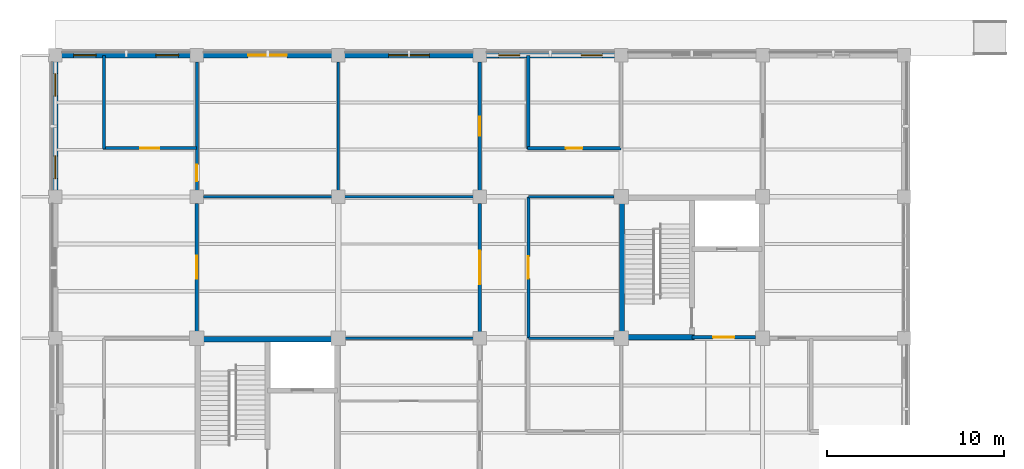
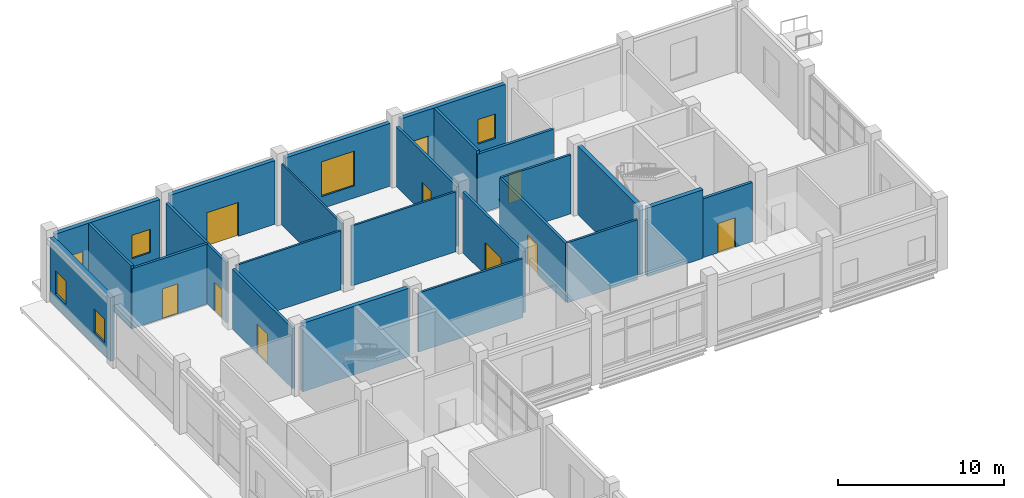
# One storey, part 70 of 105: 24 walls, 9 doors, 7 windows, 16 openings.
"""IFC4 building model written with IfcOpenShell, lengths in metres."""

from ifc_helpers import new_model, si_unit, derived_unit, direction, frame, frame_2d, origin, place, context, subcontext, project, spatial, rectangle, extrude, material, layer, layer_set, type_object, element, fill, save


model = new_model("IFC4")

# Units and contexts
model_context = context("Model", 3, precision=1e-05, world=origin(), true_north=direction((0.0, 1.0)))
body_context = subcontext(model_context, "Body", "Model", "MODEL_VIEW")
ifc_project = project(units=[si_unit("LENGTHUNIT", "METRE"), si_unit("AREAUNIT", "SQUARE_METRE"), si_unit("VOLUMEUNIT", "CUBIC_METRE"), si_unit("PLANEANGLEUNIT", "RADIAN"), si_unit("MASSUNIT", "GRAM", prefix="KILO"), derived_unit("THERMALTRANSMITTANCEUNIT", [(si_unit("MASSUNIT", "GRAM", prefix="KILO"), 1), (si_unit("TIMEUNIT", "SECOND"), -3), (si_unit("THERMODYNAMICTEMPERATUREUNIT", "KELVIN"), -1)])], contexts=[model_context])

# Site, building, storey
site_placement = place(None, origin())
site = spatial("IfcSite", under=ifc_project, at=site_placement, CompositionType="ELEMENT")
building_placement = place(site_placement, origin())
building = spatial("IfcBuilding", under=site, at=building_placement, Name="Veyamyaing Civic Hall", CompositionType="ELEMENT")
storey_placement = place(building_placement, origin())
storey = spatial("IfcBuildingStorey", under=building, at=storey_placement, Name="L00", CompositionType="ELEMENT", Elevation=0.0)

# Wall, openings, windows
ifc_material_1 = material(Name="Precast concrete C40/50", Category="concrete")
ifc_layer_1 = layer(ifc_material_1, 0.280029296875, Name="Precast concrete C40/50")
ifc_layer_set_1 = layer_set([ifc_layer_1], Name="Precast concrete C40/50")
wall_type_1 = type_object("IfcWallType", Name="WT-04", PredefinedType="SOLIDWALL", material=ifc_layer_set_1)
wall_1_placement = place(storey_placement, frame((0.360107421875, 112.0, 0.0), z_axis=(0.0, 0.0, 1.0), x_axis=(1.0, 0.0, 0.0)))
wall_1 = element("IfcWall", 1, at=wall_1_placement, inside=storey, type_object=wall_type_1, Name="Exterior facade wall WT-04 L00 N 1.14", PredefinedType="SOLIDWALL", context=body_context, shape_type="SweptSolid", body=[
    extrude(rectangle(XDim=7.27978515625, YDim=0.280029296875, at=frame_2d((3.639892578125, 0.0))), origin(), (0.0, 0.0, 1.0), 4.614013671875),
])
opening_1_placement = place(wall_1_placement, frame((0.67041015625, 0.0, 0.949951171875)))
opening_1 = element("IfcOpeningElement", 2, at=opening_1_placement, cuts=wall_1, Name="Opening W-31", PredefinedType="OPENING", context=body_context, shape_type="SweptSolid", body=[
    extrude(rectangle(XDim=1.280029296875, YDim=1.719970703125, at=frame_2d((0.64013671875, 0.85986328125))), frame((0.0, 0.14990234375, 0.0), z_axis=(0.0, -1.0, 0.0), x_axis=(1.0, 0.0, 0.0)), (0.0, 0.0, 1.0), 0.300048828125),
])
opening_2_placement = place(wall_1_placement, frame((5.32958984375, 0.0, 0.949951171875)))
opening_2 = element("IfcOpeningElement", 3, at=opening_2_placement, cuts=wall_1, Name="Opening W-31", PredefinedType="OPENING", context=body_context, shape_type="SweptSolid", body=[
    extrude(rectangle(XDim=1.280029296875, YDim=1.719970703125, at=frame_2d((0.64013671875, 0.85986328125))), frame((0.0, 0.14990234375, 0.0), z_axis=(0.0, -1.0, 0.0), x_axis=(1.0, 0.0, 0.0)), (0.0, 0.0, 1.0), 0.300048828125),
])
ifc_material_2 = material(Name="Low-E insulated glass", Category="glass")
window_type_1 = type_object("IfcWindowType", Name="W-31", PartitioningType="SINGLE_PANEL", PredefinedType="WINDOW", material=ifc_material_2)
window_1_placement = place(opening_1_placement, origin())
window_1 = element("IfcWindow", 4, at=window_1_placement, inside=storey, type_object=window_type_1, Name="Facade window W-31 L00 N 1.14.1", OverallHeight=1.719970703125, OverallWidth=1.280029296875, PartitioningType="SINGLE_PANEL", PredefinedType="WINDOW", context=body_context, shape_type="SweptSolid", body=[
    extrude(rectangle(XDim=1.280029296875, YDim=1.719970703125, at=frame_2d((0.64013671875, 0.85986328125))), frame((0.0, 0.030029296875, 0.0), z_axis=(0.0, -1.0, 0.0), x_axis=(1.0, 0.0, 0.0)), (0.0, 0.0, 1.0), 0.06005859375),
])
fill(opening_1, window_1)
window_2_placement = place(opening_2_placement, origin())
window_2 = element("IfcWindow", 5, at=window_2_placement, inside=storey, type_object=window_type_1, Name="Facade window W-31 L00 N 1.14.2", OverallHeight=1.719970703125, OverallWidth=1.280029296875, PartitioningType="SINGLE_PANEL", PredefinedType="WINDOW", context=body_context, shape_type="SweptSolid", body=[
    extrude(rectangle(XDim=1.280029296875, YDim=1.719970703125, at=frame_2d((0.64013671875, 0.85986328125))), frame((0.0, 0.030029296875, 0.0), z_axis=(0.0, -1.0, 0.0), x_axis=(1.0, 0.0, 0.0)), (0.0, 0.0, 1.0), 0.06005859375),
])
fill(opening_2, window_2)

wall_2_placement = place(storey_placement, frame((0.0, 104.360107421875, 0.0), z_axis=(0.0, 0.0, 1.0), x_axis=(0.0, 1.0, 0.0)))
wall_2 = element("IfcWall", 6, at=wall_2_placement, inside=storey, type_object=wall_type_1, Name="Exterior facade wall WT-04 L00 W 1.14", PredefinedType="SOLIDWALL", context=body_context, shape_type="SweptSolid", body=[
    extrude(rectangle(XDim=7.27978515625, YDim=0.280029296875, at=frame_2d((3.639892578125, 0.0))), origin(), (0.0, 0.0, 1.0), 4.674072265625),
])
opening_3_placement = place(wall_2_placement, frame((0.67041015625, 0.0, 0.949951171875)))
opening_3 = element("IfcOpeningElement", 7, at=opening_3_placement, cuts=wall_2, Name="Opening W-31", PredefinedType="OPENING", context=body_context, shape_type="SweptSolid", body=[
    extrude(rectangle(XDim=1.280029296875, YDim=1.719970703125, at=frame_2d((0.64013671875, 0.85986328125))), frame((0.0, 0.14990234375, 0.0), z_axis=(0.0, -1.0, 0.0), x_axis=(1.0, 0.0, 0.0)), (0.0, 0.0, 1.0), 0.300048828125),
])
opening_4_placement = place(wall_2_placement, frame((5.32958984375, 0.0, 0.949951171875)))
opening_4 = element("IfcOpeningElement", 8, at=opening_4_placement, cuts=wall_2, Name="Opening W-31", PredefinedType="OPENING", context=body_context, shape_type="SweptSolid", body=[
    extrude(rectangle(XDim=1.280029296875, YDim=1.719970703125, at=frame_2d((0.64013671875, 0.85986328125))), frame((0.0, 0.14990234375, 0.0), z_axis=(0.0, -1.0, 0.0), x_axis=(1.0, 0.0, 0.0)), (0.0, 0.0, 1.0), 0.300048828125),
])
window_3_placement = place(opening_3_placement, origin())
window_3 = element("IfcWindow", 9, at=window_3_placement, inside=storey, type_object=window_type_1, Name="Facade window W-31 L00 W 1.14.1", OverallHeight=1.719970703125, OverallWidth=1.280029296875, PartitioningType="SINGLE_PANEL", PredefinedType="WINDOW", context=body_context, shape_type="SweptSolid", body=[
    extrude(rectangle(XDim=1.280029296875, YDim=1.719970703125, at=frame_2d((0.64013671875, 0.85986328125))), frame((0.0, 0.030029296875, 0.0), z_axis=(0.0, -1.0, 0.0), x_axis=(1.0, 0.0, 0.0)), (0.0, 0.0, 1.0), 0.06005859375),
])
fill(opening_3, window_3)
window_4_placement = place(opening_4_placement, origin())
window_4 = element("IfcWindow", 10, at=window_4_placement, inside=storey, type_object=window_type_1, Name="Facade window W-31 L00 W 1.14.2", OverallHeight=1.719970703125, OverallWidth=1.280029296875, PartitioningType="SINGLE_PANEL", PredefinedType="WINDOW", context=body_context, shape_type="SweptSolid", body=[
    extrude(rectangle(XDim=1.280029296875, YDim=1.719970703125, at=frame_2d((0.64013671875, 0.85986328125))), frame((0.0, 0.030029296875, 0.0), z_axis=(0.0, -1.0, 0.0), x_axis=(1.0, 0.0, 0.0)), (0.0, 0.0, 1.0), 0.06005859375),
])
fill(opening_4, window_4)

# Wall, opening, door
wall_3_placement = place(storey_placement, frame((8.360107421875, 112.0, 0.0), z_axis=(0.0, 0.0, 1.0), x_axis=(1.0, 0.0, 0.0)))
wall_3 = element("IfcWall", 11, at=wall_3_placement, inside=storey, type_object=wall_type_1, Name="Exterior facade wall WT-04 L00 N 2.14", PredefinedType="SOLIDWALL", context=body_context, shape_type="SweptSolid", body=[
    extrude(rectangle(XDim=7.27978515625, YDim=0.280029296875, at=frame_2d((3.639892578125, 0.0))), origin(), (0.0, 0.0, 1.0), 4.677001953125),
])
opening_5_placement = place(wall_3_placement, frame((2.5400390625, 0.0, 0.0)))
opening_5 = element("IfcOpeningElement", 12, at=opening_5_placement, cuts=wall_3, Name="Opening D-01", PredefinedType="OPENING", context=body_context, shape_type="SweptSolid", body=[
    extrude(rectangle(XDim=2.199951171875, YDim=2.5, at=frame_2d((1.10009765625, 1.25))), frame((0.0, 0.14990234375, 0.0), z_axis=(0.0, -1.0, 0.0), x_axis=(1.0, 0.0, 0.0)), (0.0, 0.0, 1.0), 0.300048828125),
])
ifc_material_3 = material(Name="Anodised aluminium 6063-T6", Category="aluminium")
door_type_1 = type_object("IfcDoorType", Name="D-01", OperationType="DOUBLE_DOOR_SINGLE_SWING", PredefinedType="DOOR", material=ifc_material_3)
door_1_placement = place(opening_5_placement, origin())
door_1 = element("IfcDoor", 13, at=door_1_placement, inside=storey, type_object=door_type_1, Name="Main pedestrian final exit EX-06", OperationType="DOUBLE_DOOR_SINGLE_SWING", OverallHeight=2.5, OverallWidth=2.199951171875, PredefinedType="DOOR", context=body_context, shape_type="SweptSolid", body=[
    extrude(rectangle(XDim=2.199951171875, YDim=2.5, at=frame_2d((1.10009765625, 1.25))), frame((0.0, 0.02490234375, 0.0), z_axis=(0.0, -1.0, 0.0), x_axis=(1.0, 0.0, 0.0)), (0.0, 0.0, 1.0), 0.050048828125),
])
fill(opening_5, door_1)

# Wall, opening, window
wall_4_placement = place(storey_placement, frame((16.360107421875, 112.0, 0.0), z_axis=(0.0, 0.0, 1.0), x_axis=(1.0, 0.0, 0.0)))
wall_4 = element("IfcWall", 14, at=wall_4_placement, inside=storey, type_object=wall_type_1, Name="Exterior facade wall WT-04 L00 N 3.14", PredefinedType="SOLIDWALL", context=body_context, shape_type="SweptSolid", body=[
    extrude(rectangle(XDim=7.27978515625, YDim=0.280029296875, at=frame_2d((3.639892578125, 0.0))), origin(), (0.0, 0.0, 1.0), 4.610107421875),
])
opening_6_placement = place(wall_4_placement, frame((2.489990234375, 0.0, 0.89990234375)))
opening_6 = element("IfcOpeningElement", 15, at=opening_6_placement, cuts=wall_4, Name="Opening W-25", PredefinedType="OPENING", context=body_context, shape_type="SweptSolid", body=[
    extrude(rectangle(XDim=2.300048828125, YDim=2.550048828125, at=frame_2d((1.14990234375, 1.27490234375))), frame((0.0, 0.14990234375, 0.0), z_axis=(0.0, -1.0, 0.0), x_axis=(1.0, 0.0, 0.0)), (0.0, 0.0, 1.0), 0.300048828125),
])
window_type_2 = type_object("IfcWindowType", Name="W-25", PartitioningType="SINGLE_PANEL", PredefinedType="WINDOW", material=ifc_material_2)
window_5_placement = place(opening_6_placement, origin())
window_5 = element("IfcWindow", 16, at=window_5_placement, inside=storey, type_object=window_type_2, Name="Facade window W-25 L00 N 3.14", OverallHeight=2.550048828125, OverallWidth=2.300048828125, PartitioningType="SINGLE_PANEL", PredefinedType="WINDOW", context=body_context, shape_type="SweptSolid", body=[
    extrude(rectangle(XDim=2.300048828125, YDim=2.550048828125, at=frame_2d((1.14990234375, 1.27490234375))), frame((0.0, 0.030029296875, 0.0), z_axis=(0.0, -1.0, 0.0), x_axis=(1.0, 0.0, 0.0)), (0.0, 0.0, 1.0), 0.06005859375),
])
fill(opening_6, window_5)

# Wall, openings, windows
wall_5_placement = place(storey_placement, frame((24.360107421875, 112.0, 0.0), z_axis=(0.0, 0.0, 1.0), x_axis=(1.0, 0.0, 0.0)))
wall_5 = element("IfcWall", 17, at=wall_5_placement, inside=storey, type_object=wall_type_1, Name="Exterior facade wall WT-04 L00 N 4.14", PredefinedType="SOLIDWALL", context=body_context, shape_type="SweptSolid", body=[
    extrude(rectangle(XDim=7.27978515625, YDim=0.280029296875, at=frame_2d((3.639892578125, 0.0))), origin(), (0.0, 0.0, 1.0), 4.674072265625),
])
opening_7_placement = place(wall_5_placement, frame((0.71044921875, 0.0, 0.949951171875)))
opening_7 = element("IfcOpeningElement", 18, at=opening_7_placement, cuts=wall_5, Name="Opening W-14", PredefinedType="OPENING", context=body_context, shape_type="SweptSolid", body=[
    extrude(rectangle(XDim=1.199951171875, YDim=1.800048828125, at=frame_2d((0.60009765625, 0.89990234375))), frame((0.0, 0.14990234375, 0.0), z_axis=(0.0, -1.0, 0.0), x_axis=(1.0, 0.0, 0.0)), (0.0, 0.0, 1.0), 0.300048828125),
])
opening_8_placement = place(wall_5_placement, frame((5.36962890625, 0.0, 0.949951171875)))
opening_8 = element("IfcOpeningElement", 19, at=opening_8_placement, cuts=wall_5, Name="Opening W-14", PredefinedType="OPENING", context=body_context, shape_type="SweptSolid", body=[
    extrude(rectangle(XDim=1.199951171875, YDim=1.800048828125, at=frame_2d((0.60009765625, 0.89990234375))), frame((0.0, 0.14990234375, 0.0), z_axis=(0.0, -1.0, 0.0), x_axis=(1.0, 0.0, 0.0)), (0.0, 0.0, 1.0), 0.300048828125),
])
window_type_3 = type_object("IfcWindowType", Name="W-14", PartitioningType="SINGLE_PANEL", PredefinedType="WINDOW", material=ifc_material_2)
window_6_placement = place(opening_7_placement, origin())
window_6 = element("IfcWindow", 20, at=window_6_placement, inside=storey, type_object=window_type_3, Name="Facade window W-14 L00 N 4.14.1", OverallHeight=1.800048828125, OverallWidth=1.199951171875, PartitioningType="SINGLE_PANEL", PredefinedType="WINDOW", context=body_context, shape_type="SweptSolid", body=[
    extrude(rectangle(XDim=1.199951171875, YDim=1.800048828125, at=frame_2d((0.60009765625, 0.89990234375))), frame((0.0, 0.030029296875, 0.0), z_axis=(0.0, -1.0, 0.0), x_axis=(1.0, 0.0, 0.0)), (0.0, 0.0, 1.0), 0.06005859375),
])
fill(opening_7, window_6)
window_7_placement = place(opening_8_placement, origin())
window_7 = element("IfcWindow", 21, at=window_7_placement, inside=storey, type_object=window_type_3, Name="Facade window W-14 L00 N 4.14.2", OverallHeight=1.800048828125, OverallWidth=1.199951171875, PartitioningType="SINGLE_PANEL", PredefinedType="WINDOW", context=body_context, shape_type="SweptSolid", body=[
    extrude(rectangle(XDim=1.199951171875, YDim=1.800048828125, at=frame_2d((0.60009765625, 0.89990234375))), frame((0.0, 0.030029296875, 0.0), z_axis=(0.0, -1.0, 0.0), x_axis=(1.0, 0.0, 0.0)), (0.0, 0.0, 1.0), 0.06005859375),
])
fill(opening_8, window_7)

# Walls
ifc_material_4 = material(Name="Concrete C40/50", Category="concrete")
ifc_layer_2 = layer(ifc_material_4, 0.300048828125, Name="Concrete C40/50")
ifc_layer_set_2 = layer_set([ifc_layer_2], Name="Concrete C40/50")
wall_type_2 = type_object("IfcWallType", Name="WT-05", PredefinedType="SHEAR", material=ifc_layer_set_2)
for number, where, z_axis, x_axis, name in (
    (22, (8.2900390625, 95.949951171875, 0.0), (0.0, 0.0, 1.0), (1.0, 0.0, 0.0), "Core shear wall WT-05 CORE-1 L00.N"),
    (23, (32.050048828125, 96.2900390625, 0.0), (0.0, 0.0, 1.0), (0.0, 1.0, 0.0), "Core shear wall WT-05 CORE-2 L00.W"),
):
    element("IfcWall", number, at=place(storey_placement, frame(where, z_axis=z_axis, x_axis=x_axis)), inside=storey, type_object=wall_type_2, Name=name, PredefinedType="SHEAR", context=body_context, shape_type="SweptSolid", body=[
        extrude(rectangle(XDim=7.419921875, YDim=0.300048828125, at=frame_2d((3.7099609375, 0.0))), origin(), (0.0, 0.0, 1.0), 5.034912109375),
    ])
wall_6_placement = place(storey_placement, frame((32.2900390625, 96.050048828125, 0.0), z_axis=(0.0, 0.0, 1.0), x_axis=(1.0, 0.0, 0.0)))
element("IfcWall", 24, at=wall_6_placement, inside=storey, type_object=wall_type_2, Name="Core shear wall WT-05 CORE-2 L00.SS", PredefinedType="SHEAR", context=body_context, shape_type="SweptSolid", body=[
    extrude(rectangle(XDim=3.85986328125, YDim=0.300048828125, at=frame_2d((1.929931640625, 0.0))), origin(), (0.0, 0.0, 1.0), 5.034912109375),
])

# Wall, opening, door
ifc_layer_3 = layer(ifc_material_4, 0.199951171875, Name="Concrete C40/50")
ifc_layer_set_3 = layer_set([ifc_layer_3], Name="Concrete C40/50")
wall_type_3 = type_object("IfcWallType", Name="WT-06", PredefinedType="PARTITIONING", material=ifc_layer_set_3)
wall_7_placement = place(storey_placement, frame((36.0, 96.050048828125, 0.0), z_axis=(0.0, 0.0, 1.0), x_axis=(1.0, 0.0, 0.0)))
wall_7 = element("IfcWall", 25, at=wall_7_placement, inside=storey, type_object=wall_type_3, Name="Firefighting lift lobby wall WT-06 CORE-2 L00", PredefinedType="PARTITIONING", context=body_context, shape_type="SweptSolid", body=[
    extrude(rectangle(XDim=3.610107421875, YDim=0.199951171875, at=frame_2d((1.80517578125, 0.0))), origin(), (0.0, 0.0, 1.0), 4.326904296875),
])
opening_9_placement = place(wall_7_placement, frame((1.205078125, 0.0, 0.0)))
opening_9 = element("IfcOpeningElement", 26, at=opening_9_placement, cuts=wall_7, Name="Opening D-04", PredefinedType="OPENING", context=body_context, shape_type="SweptSolid", body=[
    extrude(rectangle(XDim=1.199951171875, YDim=2.14990234375, at=frame_2d((0.60009765625, 1.074951171875))), frame((0.0, 0.10986328125, 0.0), z_axis=(0.0, -1.0, 0.0), x_axis=(1.0, 0.0, 0.0)), (0.0, 0.0, 1.0), 0.219970703125),
])
ifc_material_5 = material(Name="Galvanized steel S355J2", Category="steel")
door_type_2 = type_object("IfcDoorType", Name="D-04", OperationType="NOTDEFINED", PredefinedType="DOOR", material=ifc_material_5)
door_2_placement = place(opening_9_placement, frame((1.199951171875, 0.0, 0.0), z_axis=(0.0, 0.0, 1.0), x_axis=(-1.0, 0.0, 0.0)))
door_2 = element("IfcDoor", 27, at=door_2_placement, inside=storey, type_object=door_type_2, Name="Protected lobby fire door D-04 CORE-2 L00", OperationType="SINGLE_SWING_LEFT", OverallHeight=2.14990234375, OverallWidth=1.199951171875, PredefinedType="DOOR", context=body_context, shape_type="SweptSolid", body=[
    extrude(rectangle(XDim=1.199951171875, YDim=2.14990234375, at=frame_2d((0.60009765625, 1.074951171875))), frame((0.0, 0.02490234375, 0.0), z_axis=(0.0, -1.0, 0.0), x_axis=(1.0, 0.0, 0.0)), (0.0, 0.0, 1.0), 0.050048828125),
])
fill(opening_9, door_2)

ifc_material_6 = material(Name="Gypsum board on acoustic steel stud", Category="steel")
ifc_layer_4 = layer(ifc_material_6, 0.175048828125, Name="Gypsum board on acoustic steel stud")
ifc_layer_set_4 = layer_set([ifc_layer_4], Name="Gypsum board on acoustic steel stud")
wall_type_4 = type_object("IfcWallType", Name="WT-07", PredefinedType="PARTITIONING", material=ifc_layer_set_4)
wall_8_placement = place(storey_placement, frame((2.699951171875, 106.75, 0.0), z_axis=(0.0, 0.0, 1.0), x_axis=(1.0, 0.0, 0.0)))
wall_8 = element("IfcWall", 28, at=wall_8_placement, inside=storey, type_object=wall_type_4, Name="Corridor gallery partition WT-07 L00.3.1", PredefinedType="PARTITIONING", context=body_context, shape_type="SweptSolid", body=[
    extrude(rectangle(XDim=5.280029296875, YDim=0.175048828125, at=frame_2d((2.64013671875, 0.0))), origin(), (0.0, 0.0, 1.0), 4.404052734375),
])
opening_10_placement = place(wall_8_placement, frame((2.10009765625, 0.0, 0.0)))
opening_10 = element("IfcOpeningElement", 29, at=opening_10_placement, cuts=wall_8, Name="Opening D-23", PredefinedType="OPENING", context=body_context, shape_type="SweptSolid", body=[
    extrude(rectangle(XDim=1.080078125, YDim=2.199951171875, at=frame_2d((0.5400390625, 1.10009765625))), frame((0.0, 0.097412109375, 0.0), z_axis=(0.0, -1.0, 0.0), x_axis=(1.0, 0.0, 0.0)), (0.0, 0.0, 1.0), 0.195068359375),
])
ifc_material_7 = material(Name="Teak-veneered acoustic timber", Category="wood")
door_type_3 = type_object("IfcDoorType", Name="D-23", OperationType="NOTDEFINED", PredefinedType="DOOR", material=ifc_material_7)
door_3_placement = place(opening_10_placement, origin())
door_3 = element("IfcDoor", 30, at=door_3_placement, inside=storey, type_object=door_type_3, Name="Gallery office door D-23 L00.3", OperationType="SINGLE_SWING_RIGHT", OverallHeight=2.199951171875, OverallWidth=1.080078125, PredefinedType="DOOR", context=body_context, shape_type="SweptSolid", body=[
    extrude(rectangle(XDim=1.080078125, YDim=2.199951171875, at=frame_2d((0.5400390625, 1.10009765625))), frame((0.0, 0.02490234375, 0.0), z_axis=(0.0, -1.0, 0.0), x_axis=(1.0, 0.0, 0.0)), (0.0, 0.0, 1.0), 0.050048828125),
])
fill(opening_10, door_3)

# Wall
wall_9_placement = place(storey_placement, frame((2.75, 106.699951171875, 0.0), z_axis=(0.0, 0.0, 1.0), x_axis=(0.0, 1.0, 0.0)))
element("IfcWall", 31, at=wall_9_placement, inside=storey, type_object=wall_type_4, Name="Corridor gallery partition WT-07 L00.3.2", PredefinedType="PARTITIONING", context=body_context, shape_type="SweptSolid", body=[
    extrude(rectangle(XDim=5.280029296875, YDim=0.175048828125, at=frame_2d((2.64013671875, 0.0))), origin(), (0.0, 0.0, 1.0), 4.60693359375),
])

# Wall, opening, door
wall_10_placement = place(storey_placement, frame((26.75, 96.02001953125, 0.0), z_axis=(0.0, 0.0, 1.0), x_axis=(0.0, 1.0, 0.0)))
wall_10 = element("IfcWall", 32, at=wall_10_placement, inside=storey, type_object=wall_type_4, Name="Corridor gallery partition WT-07 L00.17.1", PredefinedType="PARTITIONING", context=body_context, shape_type="SweptSolid", body=[
    extrude(rectangle(XDim=7.9599609375, YDim=0.175048828125, at=frame_2d((3.97998046875, 0.0))), origin(), (0.0, 0.0, 1.0), 4.326904296875),
])
opening_11_placement = place(wall_10_placement, frame((3.35498046875, 0.0, 0.0)))
opening_11 = element("IfcOpeningElement", 33, at=opening_11_placement, cuts=wall_10, Name="Opening D-29", PredefinedType="OPENING", context=body_context, shape_type="SweptSolid", body=[
    extrude(rectangle(XDim=1.25, YDim=2.179931640625, at=frame_2d((0.625, 1.08984375))), frame((0.0, 0.097412109375, 0.0), z_axis=(0.0, -1.0, 0.0), x_axis=(1.0, 0.0, 0.0)), (0.0, 0.0, 1.0), 0.195068359375),
])
door_type_4 = type_object("IfcDoorType", Name="D-29", OperationType="NOTDEFINED", PredefinedType="DOOR", material=ifc_material_7)
door_4_placement = place(opening_11_placement, frame((1.25, 0.0, 0.0), z_axis=(0.0, 0.0, 1.0), x_axis=(-1.0, 0.0, 0.0)))
door_4 = element("IfcDoor", 34, at=door_4_placement, inside=storey, type_object=door_type_4, Name="Gallery office door D-29 L00.17", OperationType="SINGLE_SWING_RIGHT", OverallHeight=2.179931640625, OverallWidth=1.25, PredefinedType="DOOR", context=body_context, shape_type="SweptSolid", body=[
    extrude(rectangle(XDim=1.25, YDim=2.179931640625, at=frame_2d((0.625, 1.08984375))), frame((0.0, 0.02490234375, 0.0), z_axis=(0.0, -1.0, 0.0), x_axis=(1.0, 0.0, 0.0)), (0.0, 0.0, 1.0), 0.050048828125),
])
fill(opening_11, door_4)

wall_11_placement = place(storey_placement, frame((8.0, 104.364990234375, 0.0), z_axis=(0.0, 0.0, 1.0), x_axis=(0.0, 1.0, 0.0)))
wall_11 = element("IfcWall", 35, at=wall_11_placement, inside=storey, type_object=wall_type_4, Name="Interior partition wall WT-07 L00.17", PredefinedType="PARTITIONING", context=body_context, shape_type="SweptSolid", body=[
    extrude(rectangle(XDim=7.27001953125, YDim=0.175048828125, at=frame_2d((3.635009765625, 0.0))), origin(), (0.0, 0.0, 1.0), 4.404052734375),
])
opening_12_placement = place(wall_11_placement, frame((0.52001953125, 0.0, 0.0)))
opening_12 = element("IfcOpeningElement", 36, at=opening_12_placement, cuts=wall_11, Name="Opening D-30", PredefinedType="OPENING", context=body_context, shape_type="SweptSolid", body=[
    extrude(rectangle(XDim=0.93994140625, YDim=2.1201171875, at=frame_2d((0.469970703125, 1.06005859375))), frame((0.0, 0.097412109375, 0.0), z_axis=(0.0, -1.0, 0.0), x_axis=(1.0, 0.0, 0.0)), (0.0, 0.0, 1.0), 0.195068359375),
])
door_type_5 = type_object("IfcDoorType", Name="D-30", OperationType="NOTDEFINED", PredefinedType="DOOR", material=ifc_material_7)
door_5_placement = place(opening_12_placement, frame((0.93994140625, 0.0, 0.0), z_axis=(0.0, 0.0, 1.0), x_axis=(-1.0, 0.0, 0.0)))
door_5 = element("IfcDoor", 37, at=door_5_placement, inside=storey, type_object=door_type_5, Name="Interior door D-30 L00.17", OperationType="SINGLE_SWING_RIGHT", OverallHeight=2.1201171875, OverallWidth=0.93994140625, PredefinedType="DOOR", context=body_context, shape_type="SweptSolid", body=[
    extrude(rectangle(XDim=0.93994140625, YDim=2.1201171875, at=frame_2d((0.469970703125, 1.06005859375))), frame((0.0, 0.02490234375, 0.0), z_axis=(0.0, -1.0, 0.0), x_axis=(1.0, 0.0, 0.0)), (0.0, 0.0, 1.0), 0.050048828125),
])
fill(opening_12, door_5)

wall_12_placement = place(storey_placement, frame((24.0, 96.364990234375, 0.0), z_axis=(0.0, 0.0, 1.0), x_axis=(0.0, 1.0, 0.0)))
wall_12 = element("IfcWall", 38, at=wall_12_placement, inside=storey, type_object=wall_type_4, Name="Interior partition wall WT-07 L00.31", PredefinedType="PARTITIONING", context=body_context, shape_type="SweptSolid", body=[
    extrude(rectangle(XDim=7.27001953125, YDim=0.175048828125, at=frame_2d((3.635009765625, 0.0))), origin(), (0.0, 0.0, 1.0), 4.470947265625),
])
opening_13_placement = place(wall_12_placement, frame((2.68505859375, 0.0, 0.0)))
opening_13 = element("IfcOpeningElement", 39, at=opening_13_placement, cuts=wall_12, Name="Opening D-31", PredefinedType="OPENING", context=body_context, shape_type="SweptSolid", body=[
    extrude(rectangle(XDim=1.89990234375, YDim=2.3798828125, at=frame_2d((0.949951171875, 1.18994140625))), frame((0.0, 0.097412109375, 0.0), z_axis=(0.0, -1.0, 0.0), x_axis=(1.0, 0.0, 0.0)), (0.0, 0.0, 1.0), 0.195068359375),
])
door_type_6 = type_object("IfcDoorType", Name="D-31", OperationType="DOUBLE_DOOR_SINGLE_SWING", PredefinedType="DOOR", material=ifc_material_7)
door_6_placement = place(opening_13_placement, origin())
door_6 = element("IfcDoor", 40, at=door_6_placement, inside=storey, type_object=door_type_6, Name="Interior door D-31 L00.31", OperationType="DOUBLE_DOOR_SINGLE_SWING", OverallHeight=2.3798828125, OverallWidth=1.89990234375, PredefinedType="DOOR", context=body_context, shape_type="SweptSolid", body=[
    extrude(rectangle(XDim=1.89990234375, YDim=2.3798828125, at=frame_2d((0.949951171875, 1.18994140625))), frame((0.0, 0.02490234375, 0.0), z_axis=(0.0, -1.0, 0.0), x_axis=(1.0, 0.0, 0.0)), (0.0, 0.0, 1.0), 0.050048828125),
])
fill(opening_13, door_6)

wall_13_placement = place(storey_placement, frame((24.0, 104.364990234375, 0.0), z_axis=(0.0, 0.0, 1.0), x_axis=(0.0, 1.0, 0.0)))
wall_13 = element("IfcWall", 41, at=wall_13_placement, inside=storey, type_object=wall_type_4, Name="Interior partition wall WT-07 L00.33", PredefinedType="PARTITIONING", context=body_context, shape_type="SweptSolid", body=[
    extrude(rectangle(XDim=7.27001953125, YDim=0.175048828125, at=frame_2d((3.635009765625, 0.0))), origin(), (0.0, 0.0, 1.0), 4.403076171875),
])
opening_14_placement = place(wall_13_placement, frame((3.094970703125, 0.0, 0.0)))
opening_14 = element("IfcOpeningElement", 42, at=opening_14_placement, cuts=wall_13, Name="Opening D-23", PredefinedType="OPENING", context=body_context, shape_type="SweptSolid", body=[
    extrude(rectangle(XDim=1.080078125, YDim=2.199951171875, at=frame_2d((0.5400390625, 1.10009765625))), frame((0.0, 0.097412109375, 0.0), z_axis=(0.0, -1.0, 0.0), x_axis=(1.0, 0.0, 0.0)), (0.0, 0.0, 1.0), 0.195068359375),
])
door_7_placement = place(opening_14_placement, origin())
door_7 = element("IfcDoor", 43, at=door_7_placement, inside=storey, type_object=door_type_3, Name="Interior door D-23 L00.33", OperationType="SINGLE_SWING_LEFT", OverallHeight=2.199951171875, OverallWidth=1.080078125, PredefinedType="DOOR", context=body_context, shape_type="SweptSolid", body=[
    extrude(rectangle(XDim=1.080078125, YDim=2.199951171875, at=frame_2d((0.5400390625, 1.10009765625))), frame((0.0, 0.02490234375, 0.0), z_axis=(0.0, -1.0, 0.0), x_axis=(1.0, 0.0, 0.0)), (0.0, 0.0, 1.0), 0.050048828125),
])
fill(opening_14, door_7)

# Walls
ifc_material_8 = material(Name="Gypsum board on steel stud", Category="steel")
ifc_layer_5 = layer(ifc_material_8, 0.14990234375, Name="Gypsum board on steel stud")
ifc_layer_set_5 = layer_set([ifc_layer_5], Name="Gypsum board on steel stud")
wall_type_5 = type_object("IfcWallType", Name="WT-08", PredefinedType="PARTITIONING", material=ifc_layer_set_5)
wall_14_placement = place(storey_placement, frame((26.75, 96.0, 0.0), z_axis=(0.0, 0.0, 1.0), x_axis=(1.0, 0.0, 0.0)))
element("IfcWall", 44, at=wall_14_placement, inside=storey, type_object=wall_type_5, Name="Gallery office end partition WT-08 L00.16.1", PredefinedType="PARTITIONING", context=body_context, shape_type="SweptSolid", body=[
    extrude(rectangle(XDim=4.840087890625, YDim=0.14990234375, at=frame_2d((2.419921875, 0.0))), origin(), (0.0, 0.0, 1.0), 4.404052734375),
])
wall_15_placement = place(storey_placement, frame((26.75, 104.0, 0.0), z_axis=(0.0, 0.0, 1.0), x_axis=(1.0, 0.0, 0.0)))
element("IfcWall", 45, at=wall_15_placement, inside=storey, type_object=wall_type_5, Name="Gallery office end partition WT-08 L00.17.2", PredefinedType="PARTITIONING", context=body_context, shape_type="SweptSolid", body=[
    extrude(rectangle(XDim=4.840087890625, YDim=0.14990234375, at=frame_2d((2.419921875, 0.0))), origin(), (0.0, 0.0, 1.0), 4.326904296875),
])
ifc_layer_6 = layer(ifc_material_8, 0.135009765625, Name="Gypsum board on steel stud")
ifc_layer_set_6 = layer_set([ifc_layer_6], Name="Gypsum board on steel stud")
wall_type_6 = type_object("IfcWallType", Name="WT-15", PredefinedType="PARTITIONING", material=ifc_layer_set_6)
wall_16_placement = place(storey_placement, frame((8.364990234375, 104.0, 0.0), z_axis=(0.0, 0.0, 1.0), x_axis=(1.0, 0.0, 0.0)))
element("IfcWall", 46, at=wall_16_placement, inside=storey, type_object=wall_type_6, Name="Interior partition wall WT-15 L00.24", PredefinedType="PARTITIONING", context=body_context, shape_type="SweptSolid", body=[
    extrude(rectangle(XDim=7.27001953125, YDim=0.135009765625, at=frame_2d((3.635009765625, 0.0))), origin(), (0.0, 0.0, 1.0), 4.3359375),
])
wall_17_placement = place(storey_placement, frame((16.364990234375, 104.0, 0.0), z_axis=(0.0, 0.0, 1.0), x_axis=(1.0, 0.0, 0.0)))
element("IfcWall", 47, at=wall_17_placement, inside=storey, type_object=wall_type_6, Name="Interior partition wall WT-15 L00.32", PredefinedType="PARTITIONING", context=body_context, shape_type="SweptSolid", body=[
    extrude(rectangle(XDim=7.27001953125, YDim=0.135009765625, at=frame_2d((3.635009765625, 0.0))), origin(), (0.0, 0.0, 1.0), 4.404052734375),
])
ifc_layer_7 = layer(ifc_material_8, 0.1201171875, Name="Gypsum board on steel stud")
ifc_layer_set_7 = layer_set([ifc_layer_7], Name="Gypsum board on steel stud")
wall_type_7 = type_object("IfcWallType", Name="WT-16", PredefinedType="PARTITIONING", material=ifc_layer_set_7)
wall_18_placement = place(storey_placement, frame((16.0, 104.364990234375, 0.0), z_axis=(0.0, 0.0, 1.0), x_axis=(0.0, 1.0, 0.0)))
element("IfcWall", 48, at=wall_18_placement, inside=storey, type_object=wall_type_7, Name="Interior partition wall WT-16 L00.25", PredefinedType="PARTITIONING", context=body_context, shape_type="SweptSolid", body=[
    extrude(rectangle(XDim=7.27001953125, YDim=0.1201171875, at=frame_2d((3.635009765625, 0.0))), origin(), (0.0, 0.0, 1.0), 4.470947265625),
])

# Wall, opening, door
ifc_material_9 = material(Name="Gypsum board on double acoustic stud")
ifc_layer_8 = layer(ifc_material_9, 0.18505859375, Name="Gypsum board on double acoustic stud")
ifc_layer_set_8 = layer_set([ifc_layer_8], Name="Gypsum board on double acoustic stud")
wall_type_8 = type_object("IfcWallType", Name="WT-19", PredefinedType="PARTITIONING", material=ifc_layer_set_8)
wall_19_placement = place(storey_placement, frame((26.699951171875, 106.75, 0.0), z_axis=(0.0, 0.0, 1.0), x_axis=(1.0, 0.0, 0.0)))
wall_19 = element("IfcWall", 49, at=wall_19_placement, inside=storey, type_object=wall_type_8, Name="Corridor gallery partition WT-19 L00.18.1", PredefinedType="PARTITIONING", context=body_context, shape_type="SweptSolid", body=[
    extrude(rectangle(XDim=5.280029296875, YDim=0.18505859375, at=frame_2d((2.64013671875, 0.0))), origin(), (0.0, 0.0, 1.0), 4.412109375),
])
opening_15_placement = place(wall_19_placement, frame((2.169921875, 0.0, 0.0)))
opening_15 = element("IfcOpeningElement", 50, at=opening_15_placement, cuts=wall_19, Name="Opening D-30", PredefinedType="OPENING", context=body_context, shape_type="SweptSolid", body=[
    extrude(rectangle(XDim=0.93994140625, YDim=2.1201171875, at=frame_2d((0.469970703125, 1.06005859375))), frame((0.0, 0.1025390625, 0.0), z_axis=(0.0, -1.0, 0.0), x_axis=(1.0, 0.0, 0.0)), (0.0, 0.0, 1.0), 0.205078125),
])
door_8_placement = place(opening_15_placement, origin())
door_8 = element("IfcDoor", 51, at=door_8_placement, inside=storey, type_object=door_type_5, Name="Gallery office door D-30 L00.18", OperationType="SINGLE_SWING_LEFT", OverallHeight=2.1201171875, OverallWidth=0.93994140625, PredefinedType="DOOR", context=body_context, shape_type="SweptSolid", body=[
    extrude(rectangle(XDim=0.93994140625, YDim=2.1201171875, at=frame_2d((0.469970703125, 1.06005859375))), frame((0.0, 0.02490234375, 0.0), z_axis=(0.0, -1.0, 0.0), x_axis=(1.0, 0.0, 0.0)), (0.0, 0.0, 1.0), 0.050048828125),
])
fill(opening_15, door_8)

# Wall
wall_20_placement = place(storey_placement, frame((26.75, 106.699951171875, 0.0), z_axis=(0.0, 0.0, 1.0), x_axis=(0.0, 1.0, 0.0)))
element("IfcWall", 52, at=wall_20_placement, inside=storey, type_object=wall_type_8, Name="Corridor gallery partition WT-19 L00.18.2", PredefinedType="PARTITIONING", context=body_context, shape_type="SweptSolid", body=[
    extrude(rectangle(XDim=5.280029296875, YDim=0.18505859375, at=frame_2d((2.64013671875, 0.0))), origin(), (0.0, 0.0, 1.0), 4.6669921875),
])

# Wall, opening, door
wall_21_placement = place(storey_placement, frame((8.0, 96.389892578125, 0.0), z_axis=(0.0, 0.0, 1.0), x_axis=(0.0, 1.0, 0.0)))
wall_21 = element("IfcWall", 53, at=wall_21_placement, inside=storey, type_object=wall_type_8, Name="Interior partition wall WT-19 L00.16", PredefinedType="PARTITIONING", context=body_context, shape_type="SweptSolid", body=[
    extrude(rectangle(XDim=7.2451171875, YDim=0.18505859375, at=frame_2d((3.62255859375, 0.0))), origin(), (0.0, 0.0, 1.0), 4.412109375),
])
opening_16_placement = place(wall_21_placement, frame((2.972412109375, 0.0, 0.0)))
opening_16 = element("IfcOpeningElement", 54, at=opening_16_placement, cuts=wall_21, Name="Opening D-18", PredefinedType="OPENING", context=body_context, shape_type="SweptSolid", body=[
    extrude(rectangle(XDim=1.300048828125, YDim=2.199951171875, at=frame_2d((0.64990234375, 1.10009765625))), frame((0.0, 0.1025390625, 0.0), z_axis=(0.0, -1.0, 0.0), x_axis=(1.0, 0.0, 0.0)), (0.0, 0.0, 1.0), 0.205078125),
])
door_type_7 = type_object("IfcDoorType", Name="D-18", OperationType="DOUBLE_DOOR_SINGLE_SWING", PredefinedType="DOOR", material=ifc_material_3)
door_9_placement = place(opening_16_placement, frame((1.300048828125, 0.0, 0.0), z_axis=(0.0, 0.0, 1.0), x_axis=(-1.0, 0.0, 0.0)))
door_9 = element("IfcDoor", 55, at=door_9_placement, inside=storey, type_object=door_type_7, Name="Interior door D-18 L00.16", OperationType="DOUBLE_DOOR_SINGLE_SWING", OverallHeight=2.199951171875, OverallWidth=1.300048828125, PredefinedType="DOOR", context=body_context, shape_type="SweptSolid", body=[
    extrude(rectangle(XDim=1.300048828125, YDim=2.199951171875, at=frame_2d((0.64990234375, 1.10009765625))), frame((0.0, 0.02490234375, 0.0), z_axis=(0.0, -1.0, 0.0), x_axis=(1.0, 0.0, 0.0)), (0.0, 0.0, 1.0), 0.050048828125),
])
fill(opening_16, door_9)

# Wall
ifc_layer_9 = layer(ifc_material_8, 0.14208984375, Name="Gypsum board on steel stud")
ifc_layer_set_9 = layer_set([ifc_layer_9], Name="Gypsum board on steel stud")
wall_type_9 = type_object("IfcWallType", Name="WT-20", PredefinedType="PARTITIONING", material=ifc_layer_set_9)
wall_22_placement = place(storey_placement, frame((16.389892578125, 96.0, 0.0), z_axis=(0.0, 0.0, 1.0), x_axis=(1.0, 0.0, 0.0)))
element("IfcWall", 56, at=wall_22_placement, inside=storey, type_object=wall_type_9, Name="Interior partition wall WT-20 L00.30", PredefinedType="PARTITIONING", context=body_context, shape_type="SweptSolid", body=[
    extrude(rectangle(XDim=7.2451171875, YDim=0.14208984375, at=frame_2d((3.62255859375, 0.0))), origin(), (0.0, 0.0, 1.0), 4.3359375),
])

save(model, "model.ifc")
